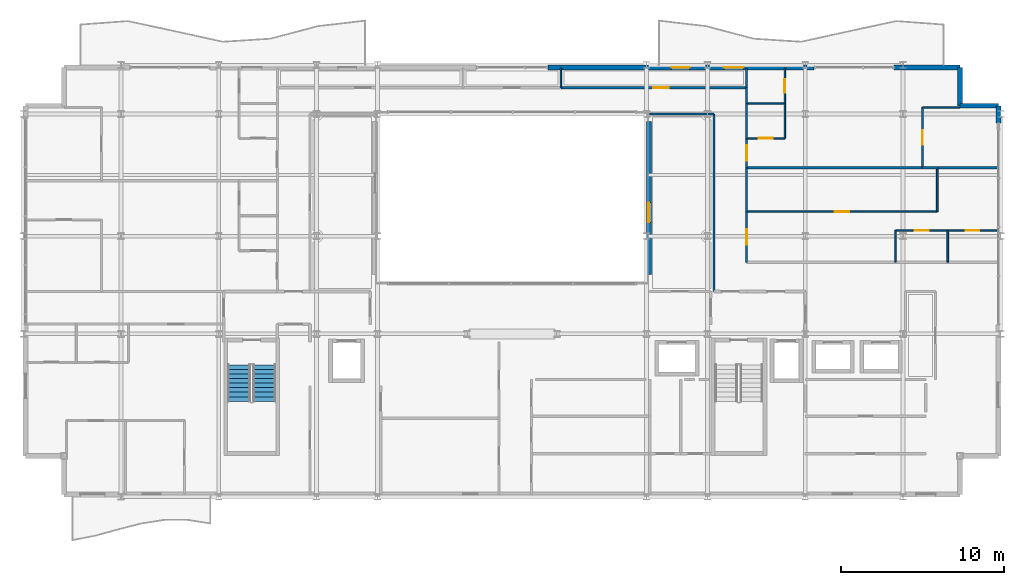
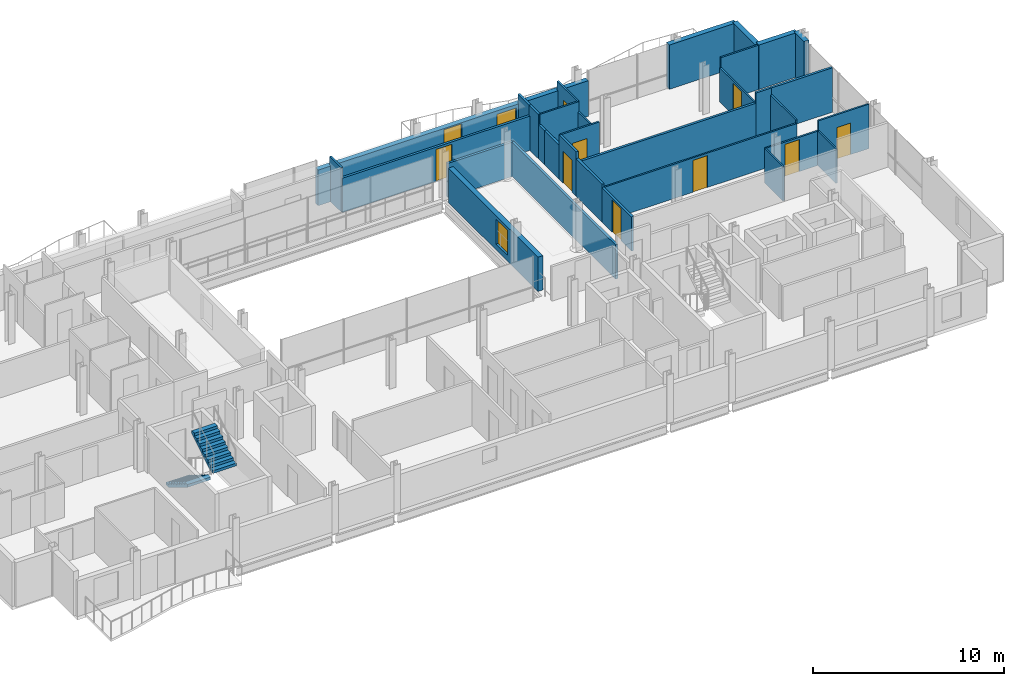
# One storey, part 32 of 36: 32 walls, 10 doors, 2 stair flights, 2 windows, 12 openings, 1 element without a shape of its own.
"""IFC4 building model written with IfcOpenShell, lengths in metres."""

from ifc_helpers import new_model, si_unit, direction, frame, frame_2d, origin, place, context, subcontext, project, spatial, polyline, rectangle, outline, extrude, material, layer, layer_set, type_object, element, fill, aggregate, save


model = new_model("IFC4")

# Units and contexts
model_context = context("Model", 3, precision=1e-05, world=origin(), true_north=direction((0.0, 1.0)))
body_context = subcontext(model_context, "Body", "Model", "MODEL_VIEW")
ifc_project = project(units=[si_unit("LENGTHUNIT", "METRE"), si_unit("AREAUNIT", "SQUARE_METRE"), si_unit("VOLUMEUNIT", "CUBIC_METRE"), si_unit("PLANEANGLEUNIT", "RADIAN"), si_unit("MASSUNIT", "GRAM", prefix="KILO")], contexts=[model_context])

# Site, building, storey
site_placement = place(None, origin())
site = spatial("IfcSite", under=ifc_project, at=site_placement, CompositionType="ELEMENT")
building_placement = place(site_placement, origin())
building = spatial("IfcBuilding", under=site, at=building_placement, Name="Brevholm Reach", CompositionType="ELEMENT")
storey_placement = place(building_placement, frame((0.0, 0.0, 175.89990234375)))
storey = spatial("IfcBuildingStorey", under=building, at=storey_placement, Name="L53", CompositionType="ELEMENT", Elevation=175.89990234375)

# Walls
ifc_material_1 = material(Name="Concrete C40/50", Category="concrete")
ifc_layer_1 = layer(ifc_material_1, 0.300048828125)
ifc_layer_set_1 = layer_set([ifc_layer_1], Name="Concrete C40/50")
wall_type_1 = type_object("IfcWallType", Name="WAL-EXT-300", PredefinedType="STANDARD", material=ifc_layer_set_1)
for number, where, z_axis, x_axis, name in (
    (1, (59.85009765625, 24.0, 0.0), (0.0, 0.0, 1.0), (-1.0, 0.0, 0.0), "L53 Facade Wall WAL-L53-CNE1"),
    (2, (57.5, 24.0, 0.0), (0.0, 0.0, 1.0), (0.0, 1.0, 0.0), "L53 Facade Wall WAL-L53-CNE2"),
):
    element("IfcWall", number, at=place(storey_placement, frame(where, z_axis=z_axis, x_axis=x_axis)), inside=storey, type_object=wall_type_1, Name=name, PredefinedType="STANDARD", context=body_context, shape_type="SweptSolid", body=[
        extrude(rectangle(XDim=2.35009765625, YDim=0.300048828125, at=frame_2d((1.175048828125, 0.0))), origin(), (0.0, 0.0, 1.0), 2.840087890625),
    ])
wall_1_placement = place(storey_placement, frame((59.85009765625, 22.949951171875, 0.0), z_axis=(0.0, 0.0, 1.0), x_axis=(0.0, 1.0, 0.0)))
element("IfcWall", 3, at=wall_1_placement, inside=storey, type_object=wall_type_1, Name="L53 Facade Wall WAL-L53-E-N", PredefinedType="STANDARD", context=body_context, shape_type="SweptSolid", body=[
    extrude(rectangle(XDim=1.050048828125, YDim=0.300048828125, at=frame_2d((0.52490234375, 0.0))), origin(), (0.0, 0.0, 1.0), 2.840087890625),
])
wall_2_placement = place(storey_placement, frame((53.449951171875, 26.35009765625, 0.0), z_axis=(0.0, 0.0, 1.0), x_axis=(1.0, 0.0, 0.0)))
element("IfcWall", 4, at=wall_2_placement, inside=storey, type_object=wall_type_1, Name="L53 Facade Wall WAL-L53-NP-E0", PredefinedType="STANDARD", context=body_context, shape_type="SweptSolid", body=[
    extrude(rectangle(XDim=4.050048828125, YDim=0.300048828125, at=frame_2d((2.02490234375, 0.0))), origin(), (0.0, 0.0, 1.0), 2.840087890625),
])

# Wall, openings, door, window
wall_3_placement = place(storey_placement, frame((32.199951171875, 26.35009765625, 0.0), z_axis=(0.0, 0.0, 1.0), x_axis=(1.0, 0.0, 0.0)))
wall_3 = element("IfcWall", 5, at=wall_3_placement, inside=storey, type_object=wall_type_1, Name="L53 Facade Wall WAL-L53-NP-ER", PredefinedType="STANDARD", context=body_context, shape_type="SweptSolid", body=[
    extrude(rectangle(XDim=16.35009765625, YDim=0.300048828125, at=frame_2d((8.175048828125, 0.0))), origin(), (0.0, 0.0, 1.0), 2.275634765625),
])
opening_1_placement = place(wall_3_placement, frame((7.60009765625, 0.0, 0.0)))
opening_1 = element("IfcOpeningElement", 6, at=opening_1_placement, cuts=wall_3, Name="Opening BD-01", PredefinedType="OPENING", context=body_context, shape_type="SweptSolid", body=[
    extrude(rectangle(XDim=1.10009765625, YDim=2.199951171875, at=frame_2d((0.550048828125, 1.10009765625))), frame((0.0, 0.159912109375, 0.0), z_axis=(0.0, -1.0, 0.0), x_axis=(1.0, 0.0, 0.0)), (0.0, 0.0, 1.0), 0.320068359375),
])
opening_2_placement = place(wall_3_placement, frame((10.800048828125, 0.0, 0.455078125)))
opening_2 = element("IfcOpeningElement", 7, at=opening_2_placement, cuts=wall_3, Name="Opening WN-08", PredefinedType="OPENING", context=body_context, shape_type="SweptSolid", body=[
    extrude(rectangle(XDim=1.199951171875, YDim=1.60009765625, at=frame_2d((0.60009765625, 0.800048828125))), frame((0.0, 0.159912109375, 0.0), z_axis=(0.0, -1.0, 0.0), x_axis=(1.0, 0.0, 0.0)), (0.0, 0.0, 1.0), 0.320068359375),
])
ifc_material_2 = material(Name="Dark Anodised Aluminium and Triple-Glazed Glass", Category="aluminium")
door_type_1 = type_object("IfcDoorType", Name="DOR-BALC-1100", OperationType="NOTDEFINED", PredefinedType="DOOR", material=ifc_material_2)
door_1_placement = place(opening_1_placement, origin())
door_1 = element("IfcDoor", 8, at=door_1_placement, inside=storey, type_object=door_type_1, Name="L53 Exterior Door DOR-L53-BL-NE", OperationType="SINGLE_SWING_LEFT", OverallHeight=2.199951171875, OverallWidth=1.10009765625, PredefinedType="DOOR", context=body_context, shape_type="SweptSolid", body=[
    extrude(rectangle(XDim=1.10009765625, YDim=2.199951171875, at=frame_2d((0.550048828125, 1.10009765625))), frame((0.0, 0.02490234375, 0.0), z_axis=(0.0, -1.0, 0.0), x_axis=(1.0, 0.0, 0.0)), (0.0, 0.0, 1.0), 0.050048828125),
])
fill(opening_1, door_1)
ifc_material_3 = material(Name="Dark Anodised Aluminium and Solar-Control IGU Glass", Category="aluminium")
window_type = type_object("IfcWindowType", Name="WIN-RES-1200", PartitioningType="SINGLE_PANEL", PredefinedType="WINDOW", material=ifc_material_3)
window_1_placement = place(opening_2_placement, origin())
window_1 = element("IfcWindow", 9, at=window_1_placement, inside=storey, type_object=window_type, Name="L53 Window WIN-L53-NP-ER1", OverallHeight=1.60009765625, OverallWidth=1.199951171875, PartitioningType="SINGLE_PANEL", PredefinedType="WINDOW", context=body_context, shape_type="SweptSolid", body=[
    extrude(rectangle(XDim=1.199951171875, YDim=1.60009765625, at=frame_2d((0.60009765625, 0.800048828125))), frame((0.0, 0.030029296875, 0.0), z_axis=(0.0, -1.0, 0.0), x_axis=(1.0, 0.0, 0.0)), (0.0, 0.0, 1.0), 0.06005859375),
])
fill(opening_2, window_1)

# Wall, opening, window
wall_4_placement = place(storey_placement, frame((38.39990234375, 13.64990234375, 0.0), z_axis=(0.0, 0.0, 1.0), x_axis=(0.0, 1.0, 0.0)))
wall_4 = element("IfcWall", 10, at=wall_4_placement, inside=storey, type_object=wall_type_1, Name="L53 Facade Wall WAL-L53-AT-E", PredefinedType="STANDARD", context=body_context, shape_type="SweptSolid", body=[
    extrude(rectangle(XDim=9.400146484375, YDim=0.300048828125, at=frame_2d((4.7001953125, 0.0))), origin(), (0.0, 0.0, 1.0), 2.19482421875),
])
opening_3_placement = place(wall_4_placement, frame((3.199951171875, 0.0, 0.375)))
opening_3 = element("IfcOpeningElement", 11, at=opening_3_placement, cuts=wall_4, Name="Opening WN-08", PredefinedType="OPENING", context=body_context, shape_type="SweptSolid", body=[
    extrude(rectangle(XDim=1.199951171875, YDim=1.60009765625, at=frame_2d((0.60009765625, 0.800048828125))), frame((0.0, 0.159912109375, 0.0), z_axis=(0.0, -1.0, 0.0), x_axis=(1.0, 0.0, 0.0)), (0.0, 0.0, 1.0), 0.320068359375),
])
window_2_placement = place(opening_3_placement, origin())
window_2 = element("IfcWindow", 12, at=window_2_placement, inside=storey, type_object=window_type, Name="L53 Window WIN-L53-AT-E1", OverallHeight=1.60009765625, OverallWidth=1.199951171875, PartitioningType="SINGLE_PANEL", PredefinedType="WINDOW", context=body_context, shape_type="SweptSolid", body=[
    extrude(rectangle(XDim=1.199951171875, YDim=1.60009765625, at=frame_2d((0.60009765625, 0.800048828125))), frame((0.0, 0.030029296875, 0.0), z_axis=(0.0, -1.0, 0.0), x_axis=(1.0, 0.0, 0.0)), (0.0, 0.0, 1.0), 0.06005859375),
])
fill(opening_3, window_2)

# Wall
ifc_material_4 = material(Name="Moisture-Resistant Acoustic Gypsum Stud Partition 100 mm", Category="gypsum")
ifc_layer_2 = layer(ifc_material_4, 0.10009765625)
ifc_layer_set_2 = layer_set([ifc_layer_2], Name="Moisture-Resistant Acoustic Gypsum Stud Partition 100 mm")
wall_type_2 = type_object("IfcWallType", Name="WAL-PRT-100", PredefinedType="PARTITIONING", material=ifc_layer_set_2)
wall_5_placement = place(storey_placement, frame((56.75, 14.404052734375, 0.0), z_axis=(0.0, 0.0, 1.0), x_axis=(0.0, 1.0, 0.0)))
element("IfcWall", 13, at=wall_5_placement, inside=storey, type_object=wall_type_2, Name="L53 Internal Partition 084", PredefinedType="PARTITIONING", context=body_context, shape_type="SweptSolid", body=[
    extrude(rectangle(XDim=1.946044921875, YDim=0.10009765625, at=frame_2d((0.97314453125, 0.0))), origin(), (0.0, 0.0, 1.0), 2.19482421875),
])

# Wall, opening, door
wall_6_placement = place(storey_placement, frame((56.75, 16.35009765625, 0.0), z_axis=(0.0, 0.0, 1.0), x_axis=(1.0, 0.0, 0.0)))
wall_6 = element("IfcWall", 14, at=wall_6_placement, inside=storey, type_object=wall_type_2, Name="L53 Internal Partition 085", PredefinedType="PARTITIONING", context=body_context, shape_type="SweptSolid", body=[
    extrude(rectangle(XDim=3.050048828125, YDim=0.10009765625, at=frame_2d((1.52490234375, 0.0))), origin(), (0.0, 0.0, 1.0), 2.840087890625),
])
opening_4_placement = place(wall_6_placement, frame((1.114990234375, 0.0, 0.0)))
opening_4 = element("IfcOpeningElement", 15, at=opening_4_placement, cuts=wall_6, Name="Opening ID-03", PredefinedType="OPENING", context=body_context, shape_type="SweptSolid", body=[
    extrude(rectangle(XDim=0.820068359375, YDim=2.02001953125, at=frame_2d((0.41015625, 1.010009765625))), frame((0.0, 0.06005859375, 0.0), z_axis=(0.0, -1.0, 0.0), x_axis=(1.0, 0.0, 0.0)), (0.0, 0.0, 1.0), 0.1201171875),
])
ifc_material_5 = material(Name="Moisture-Resistant Painted Timber Internal Bathroom Door", Category="wood")
door_type_2 = type_object("IfcDoorType", Name="DOR-BATH-820", OperationType="NOTDEFINED", PredefinedType="DOOR", material=ifc_material_5)
door_2_placement = place(opening_4_placement, origin())
door_2 = element("IfcDoor", 16, at=door_2_placement, inside=storey, type_object=door_type_2, Name="L53 Internal Door 037", OperationType="SINGLE_SWING_LEFT", OverallHeight=2.02001953125, OverallWidth=0.820068359375, PredefinedType="DOOR", context=body_context, shape_type="SweptSolid", body=[
    extrude(rectangle(XDim=0.820068359375, YDim=2.02001953125, at=frame_2d((0.41015625, 1.010009765625))), frame((0.0, 0.02490234375, 0.0), z_axis=(0.0, -1.0, 0.0), x_axis=(1.0, 0.0, 0.0)), (0.0, 0.0, 1.0), 0.050048828125),
])
fill(opening_4, door_2)

wall_7_placement = place(storey_placement, frame((53.550048828125, 16.35009765625, 0.0), z_axis=(0.0, 0.0, 1.0), x_axis=(1.0, 0.0, 0.0)))
wall_7 = element("IfcWall", 17, at=wall_7_placement, inside=storey, type_object=wall_type_2, Name="L53 Internal Partition 086", PredefinedType="PARTITIONING", context=body_context, shape_type="SweptSolid", body=[
    extrude(rectangle(XDim=3.196044921875, YDim=0.10009765625, at=frame_2d((1.59814453125, 0.0))), origin(), (0.0, 0.0, 1.0), 2.19482421875),
])
opening_5_placement = place(wall_7_placement, frame((1.157958984375, 0.0, 0.0)))
opening_5 = element("IfcOpeningElement", 18, at=opening_5_placement, cuts=wall_7, Name="Opening ID-01", PredefinedType="OPENING", context=body_context, shape_type="SweptSolid", body=[
    extrude(rectangle(XDim=0.8798828125, YDim=2.0400390625, at=frame_2d((0.43994140625, 1.02001953125))), frame((0.0, 0.06005859375, 0.0), z_axis=(0.0, -1.0, 0.0), x_axis=(1.0, 0.0, 0.0)), (0.0, 0.0, 1.0), 0.1201171875),
])
ifc_material_6 = material(Name="Lacquered Ash Solid-Core Acoustic Internal Door", Category="timber")
door_type_3 = type_object("IfcDoorType", Name="DOR-INT-880", OperationType="NOTDEFINED", PredefinedType="DOOR", material=ifc_material_6)
door_3_placement = place(opening_5_placement, origin())
door_3 = element("IfcDoor", 19, at=door_3_placement, inside=storey, type_object=door_type_3, Name="L53 Internal Door 038", OperationType="SINGLE_SWING_RIGHT", OverallHeight=2.0400390625, OverallWidth=0.8798828125, PredefinedType="DOOR", context=body_context, shape_type="SweptSolid", body=[
    extrude(rectangle(XDim=0.8798828125, YDim=2.0400390625, at=frame_2d((0.43994140625, 1.02001953125))), frame((0.0, 0.02490234375, 0.0), z_axis=(0.0, -1.0, 0.0), x_axis=(1.0, 0.0, 0.0)), (0.0, 0.0, 1.0), 0.050048828125),
])
fill(opening_5, door_3)

# Wall
wall_8_placement = place(storey_placement, frame((53.550048828125, 14.404052734375, 0.0), z_axis=(0.0, 0.0, 1.0), x_axis=(0.0, 1.0, 0.0)))
element("IfcWall", 20, at=wall_8_placement, inside=storey, type_object=wall_type_2, Name="L53 Internal Partition 087", PredefinedType="PARTITIONING", context=body_context, shape_type="SweptSolid", body=[
    extrude(rectangle(XDim=1.946044921875, YDim=0.10009765625, at=frame_2d((0.97314453125, 0.0))), origin(), (0.0, 0.0, 1.0), 2.19482421875),
])

# Wall, opening, door
wall_9_placement = place(storey_placement, frame((44.404052734375, 17.5, 0.0), z_axis=(0.0, 0.0, 1.0), x_axis=(1.0, 0.0, 0.0)))
wall_9 = element("IfcWall", 21, at=wall_9_placement, inside=storey, type_object=wall_type_2, Name="L53 Internal Partition 088", PredefinedType="PARTITIONING", context=body_context, shape_type="SweptSolid", body=[
    extrude(rectangle(XDim=11.699951171875, YDim=0.10009765625, at=frame_2d((5.85009765625, 0.0))), origin(), (0.0, 0.0, 1.0), 2.19482421875),
])
opening_6_placement = place(wall_9_placement, frame((5.409912109375, 0.0, 0.0)))
opening_6 = element("IfcOpeningElement", 22, at=opening_6_placement, cuts=wall_9, Name="Opening ID-01", PredefinedType="OPENING", context=body_context, shape_type="SweptSolid", body=[
    extrude(rectangle(XDim=0.8798828125, YDim=2.0400390625, at=frame_2d((0.43994140625, 1.02001953125))), frame((0.0, 0.06005859375, 0.0), z_axis=(0.0, -1.0, 0.0), x_axis=(1.0, 0.0, 0.0)), (0.0, 0.0, 1.0), 0.1201171875),
])
door_4_placement = place(opening_6_placement, origin())
door_4 = element("IfcDoor", 23, at=door_4_placement, inside=storey, type_object=door_type_3, Name="L53 Internal Door 039", OperationType="SINGLE_SWING_LEFT", OverallHeight=2.0400390625, OverallWidth=0.8798828125, PredefinedType="DOOR", context=body_context, shape_type="SweptSolid", body=[
    extrude(rectangle(XDim=0.8798828125, YDim=2.0400390625, at=frame_2d((0.43994140625, 1.02001953125))), frame((0.0, 0.02490234375, 0.0), z_axis=(0.0, -1.0, 0.0), x_axis=(1.0, 0.0, 0.0)), (0.0, 0.0, 1.0), 0.050048828125),
])
fill(opening_6, door_4)

# Walls
wall_10_placement = place(storey_placement, frame((56.10400390625, 17.5, 0.0), z_axis=(0.0, 0.0, 1.0), x_axis=(0.0, 1.0, 0.0)))
element("IfcWall", 24, at=wall_10_placement, inside=storey, type_object=wall_type_2, Name="L53 Internal Partition 089", PredefinedType="PARTITIONING", context=body_context, shape_type="SweptSolid", body=[
    extrude(rectangle(XDim=2.699951171875, YDim=0.10009765625, at=frame_2d((1.35009765625, 0.0))), origin(), (0.0, 0.0, 1.0), 2.40869140625),
])
wall_11_placement = place(storey_placement, frame((44.39990234375, 24.14990234375, 0.0), z_axis=(0.0, 0.0, 1.0), x_axis=(1.0, 0.0, 0.0)))
element("IfcWall", 25, at=wall_11_placement, inside=storey, type_object=wall_type_2, Name="L53 Internal Partition 093", PredefinedType="PARTITIONING", context=body_context, shape_type="SweptSolid", body=[
    extrude(rectangle(XDim=2.35009765625, YDim=0.10009765625, at=frame_2d((1.175048828125, 0.0))), origin(), (0.0, 0.0, 1.0), 2.840087890625),
])

# Wall, opening, door
wall_12_placement = place(storey_placement, frame((46.75, 24.14990234375, 0.0), z_axis=(0.0, 0.0, 1.0), x_axis=(0.0, 1.0, 0.0)))
wall_12 = element("IfcWall", 26, at=wall_12_placement, inside=storey, type_object=wall_type_2, Name="L53 Internal Partition 094", PredefinedType="PARTITIONING", context=body_context, shape_type="SweptSolid", body=[
    extrude(rectangle(XDim=2.150146484375, YDim=0.10009765625, at=frame_2d((1.0751953125, 0.0))), origin(), (0.0, 0.0, 1.0), 2.840087890625),
])
opening_7_placement = place(wall_12_placement, frame((0.6650390625, 0.0, 0.0)))
opening_7 = element("IfcOpeningElement", 27, at=opening_7_placement, cuts=wall_12, Name="Opening ID-03", PredefinedType="OPENING", context=body_context, shape_type="SweptSolid", body=[
    extrude(rectangle(XDim=0.820068359375, YDim=2.02001953125, at=frame_2d((0.41015625, 1.010009765625))), frame((0.0, 0.06005859375, 0.0), z_axis=(0.0, -1.0, 0.0), x_axis=(1.0, 0.0, 0.0)), (0.0, 0.0, 1.0), 0.1201171875),
])
door_5_placement = place(opening_7_placement, origin())
door_5 = element("IfcDoor", 28, at=door_5_placement, inside=storey, type_object=door_type_2, Name="L53 Internal Door 040", OperationType="SINGLE_SWING_RIGHT", OverallHeight=2.02001953125, OverallWidth=0.820068359375, PredefinedType="DOOR", context=body_context, shape_type="SweptSolid", body=[
    extrude(rectangle(XDim=0.820068359375, YDim=2.02001953125, at=frame_2d((0.41015625, 1.010009765625))), frame((0.0, 0.02490234375, 0.0), z_axis=(0.0, -1.0, 0.0), x_axis=(1.0, 0.0, 0.0)), (0.0, 0.0, 1.0), 0.050048828125),
])
fill(opening_7, door_5)

wall_13_placement = place(storey_placement, frame((44.404052734375, 22.0, 0.0), z_axis=(0.0, 0.0, 1.0), x_axis=(1.0, 0.0, 0.0)))
wall_13 = element("IfcWall", 29, at=wall_13_placement, inside=storey, type_object=wall_type_2, Name="L53 Internal Partition 097", PredefinedType="PARTITIONING", context=body_context, shape_type="SweptSolid", body=[
    extrude(rectangle(XDim=2.345947265625, YDim=0.10009765625, at=frame_2d((1.1728515625, 0.0))), origin(), (0.0, 0.0, 1.0), 2.840087890625),
])
opening_8_placement = place(wall_13_placement, frame((0.73291015625, 0.0, 0.0)))
opening_8 = element("IfcOpeningElement", 30, at=opening_8_placement, cuts=wall_13, Name="Opening ID-01", PredefinedType="OPENING", context=body_context, shape_type="SweptSolid", body=[
    extrude(rectangle(XDim=0.8798828125, YDim=2.0400390625, at=frame_2d((0.43994140625, 1.02001953125))), frame((0.0, 0.06005859375, 0.0), z_axis=(0.0, -1.0, 0.0), x_axis=(1.0, 0.0, 0.0)), (0.0, 0.0, 1.0), 0.1201171875),
])
door_6_placement = place(opening_8_placement, origin())
door_6 = element("IfcDoor", 31, at=door_6_placement, inside=storey, type_object=door_type_3, Name="L53 Internal Door 041", OperationType="SINGLE_SWING_LEFT", OverallHeight=2.0400390625, OverallWidth=0.8798828125, PredefinedType="DOOR", context=body_context, shape_type="SweptSolid", body=[
    extrude(rectangle(XDim=0.8798828125, YDim=2.0400390625, at=frame_2d((0.43994140625, 1.02001953125))), frame((0.0, 0.02490234375, 0.0), z_axis=(0.0, -1.0, 0.0), x_axis=(1.0, 0.0, 0.0)), (0.0, 0.0, 1.0), 0.050048828125),
])
fill(opening_8, door_6)

# Walls
wall_14_placement = place(storey_placement, frame((46.75, 22.0, 0.0), z_axis=(0.0, 0.0, 1.0), x_axis=(0.0, 1.0, 0.0)))
element("IfcWall", 32, at=wall_14_placement, inside=storey, type_object=wall_type_2, Name="L53 Internal Partition 098", PredefinedType="PARTITIONING", context=body_context, shape_type="SweptSolid", body=[
    extrude(rectangle(XDim=2.14599609375, YDim=0.10009765625, at=frame_2d((1.072998046875, 0.0))), origin(), (0.0, 0.0, 1.0), 2.19482421875),
])
wall_15_placement = place(storey_placement, frame((55.199951171875, 23.89990234375, 0.0), z_axis=(0.0, 0.0, 1.0), x_axis=(1.0, 0.0, 0.0)))
element("IfcWall", 33, at=wall_15_placement, inside=storey, type_object=wall_type_2, Name="L53 Internal Partition 100", PredefinedType="PARTITIONING", context=body_context, shape_type="SweptSolid", body=[
    extrude(rectangle(XDim=2.280029296875, YDim=0.10009765625, at=frame_2d((1.14013671875, 0.0))), origin(), (0.0, 0.0, 1.0), 2.840087890625),
])

# Wall, opening, door
wall_16_placement = place(storey_placement, frame((55.199951171875, 20.2041015625, 0.0), z_axis=(0.0, 0.0, 1.0), x_axis=(0.0, 1.0, 0.0)))
wall_16 = element("IfcWall", 34, at=wall_16_placement, inside=storey, type_object=wall_type_2, Name="L53 Internal Partition 101", PredefinedType="PARTITIONING", context=body_context, shape_type="SweptSolid", body=[
    extrude(rectangle(XDim=3.69580078125, YDim=0.10009765625, at=frame_2d((1.847900390625, 0.0))), origin(), (0.0, 0.0, 1.0), 2.19482421875),
])
opening_9_placement = place(wall_16_placement, frame((1.407958984375, 0.0, 0.0)))
opening_9 = element("IfcOpeningElement", 35, at=opening_9_placement, cuts=wall_16, Name="Opening ID-01", PredefinedType="OPENING", context=body_context, shape_type="SweptSolid", body=[
    extrude(rectangle(XDim=0.8798828125, YDim=2.0400390625, at=frame_2d((0.43994140625, 1.02001953125))), frame((0.0, 0.06005859375, 0.0), z_axis=(0.0, -1.0, 0.0), x_axis=(1.0, 0.0, 0.0)), (0.0, 0.0, 1.0), 0.1201171875),
])
door_7_placement = place(opening_9_placement, origin())
door_7 = element("IfcDoor", 36, at=door_7_placement, inside=storey, type_object=door_type_3, Name="L53 Internal Door 042", OperationType="SINGLE_SWING_RIGHT", OverallHeight=2.0400390625, OverallWidth=0.8798828125, PredefinedType="DOOR", context=body_context, shape_type="SweptSolid", body=[
    extrude(rectangle(XDim=0.8798828125, YDim=2.0400390625, at=frame_2d((0.43994140625, 1.02001953125))), frame((0.0, 0.02490234375, 0.0), z_axis=(0.0, -1.0, 0.0), x_axis=(1.0, 0.0, 0.0)), (0.0, 0.0, 1.0), 0.050048828125),
])
fill(opening_9, door_7)

# Walls
wall_17_placement = place(storey_placement, frame((33.0, 25.10400390625, 0.0), z_axis=(0.0, 0.0, 1.0), x_axis=(0.0, 1.0, 0.0)))
element("IfcWall", 37, at=wall_17_placement, inside=storey, type_object=wall_type_2, Name="L53 Internal Partition 108", PredefinedType="PARTITIONING", context=body_context, shape_type="SweptSolid", body=[
    extrude(rectangle(XDim=1.196044921875, YDim=0.10009765625, at=frame_2d((0.59814453125, 0.0))), origin(), (0.0, 0.0, 1.0), 2.840087890625),
])
ifc_material_7 = material(Name="Twin-Stud Acoustic Fire-Rated Gypsum Partition 140 mm", Category="gypsum")
ifc_layer_3 = layer(ifc_material_7, 0.139892578125)
ifc_layer_set_3 = layer_set([ifc_layer_3], Name="Twin-Stud Acoustic Fire-Rated Gypsum Partition 140 mm")
wall_type_3 = type_object("IfcWallType", Name="WAL-PRT-140", PredefinedType="PARTITIONING", material=ifc_layer_set_3)
wall_18_placement = place(storey_placement, frame((44.39990234375, 17.48876953125, 0.0), z_axis=(0.0, 0.0, 1.0), x_axis=(0.0, 1.0, 0.0)))
element("IfcWall", 38, at=wall_18_placement, inside=storey, type_object=wall_type_3, Name="L53 Internal Partition 044", PredefinedType="PARTITIONING", context=body_context, shape_type="SweptSolid", body=[
    extrude(rectangle(XDim=2.722412109375, YDim=0.139892578125, at=frame_2d((1.361328125, 0.0))), origin(), (0.0, 0.0, 1.0), 2.40869140625),
])

# Wall, opening, door
wall_19_placement = place(storey_placement, frame((44.39990234375, 14.392578125, 0.0), z_axis=(0.0, 0.0, 1.0), x_axis=(0.0, 1.0, 0.0)))
wall_19 = element("IfcWall", 39, at=wall_19_placement, inside=storey, type_object=wall_type_3, Name="L53 Internal Partition 045", PredefinedType="PARTITIONING", context=body_context, shape_type="SweptSolid", body=[
    extrude(rectangle(XDim=3.11474609375, YDim=0.139892578125, at=frame_2d((1.557373046875, 0.0))), origin(), (0.0, 0.0, 1.0), 2.19482421875),
])
opening_10_placement = place(wall_19_placement, frame((1.082275390625, 0.0, 0.0)))
opening_10 = element("IfcOpeningElement", 40, at=opening_10_placement, cuts=wall_19, Name="Opening ID-30", PredefinedType="OPENING", context=body_context, shape_type="SweptSolid", body=[
    extrude(rectangle(XDim=0.949951171875, YDim=2.050048828125, at=frame_2d((0.47509765625, 1.02490234375))), frame((0.0, 0.079833984375, 0.0), z_axis=(0.0, -1.0, 0.0), x_axis=(1.0, 0.0, 0.0)), (0.0, 0.0, 1.0), 0.159912109375),
])
ifc_material_8 = material(Name="European Oak Veneered Solid-Core Fire Entrance Door", Category="timber")
door_type_4 = type_object("IfcDoorType", Name="DOR-FLT-FD30S", OperationType="NOTDEFINED", PredefinedType="DOOR", material=ifc_material_8)
door_8_placement = place(opening_10_placement, origin())
door_8 = element("IfcDoor", 41, at=door_8_placement, inside=storey, type_object=door_type_4, Name="L53 Internal Door 024", OperationType="SINGLE_SWING_RIGHT", OverallHeight=2.050048828125, OverallWidth=0.949951171875, PredefinedType="DOOR", context=body_context, shape_type="SweptSolid", body=[
    extrude(rectangle(XDim=0.949951171875, YDim=2.050048828125, at=frame_2d((0.47509765625, 1.02490234375))), frame((0.0, 0.02490234375, 0.0), z_axis=(0.0, -1.0, 0.0), x_axis=(1.0, 0.0, 0.0)), (0.0, 0.0, 1.0), 0.050048828125),
])
fill(opening_10, door_8)

# Wall
wall_20_placement = place(storey_placement, frame((44.39990234375, 21.98876953125, 0.0), z_axis=(0.0, 0.0, 1.0), x_axis=(0.0, 1.0, 0.0)))
element("IfcWall", 42, at=wall_20_placement, inside=storey, type_object=wall_type_3, Name="L53 Internal Partition 046", PredefinedType="PARTITIONING", context=body_context, shape_type="SweptSolid", body=[
    extrude(rectangle(XDim=1.51123046875, YDim=0.139892578125, at=frame_2d((0.755615234375, 0.0))), origin(), (0.0, 0.0, 1.0), 2.19482421875),
])

# Wall, opening, door
wall_21_placement = place(storey_placement, frame((44.39990234375, 20.192626953125, 0.0), z_axis=(0.0, 0.0, 1.0), x_axis=(0.0, 1.0, 0.0)))
wall_21 = element("IfcWall", 43, at=wall_21_placement, inside=storey, type_object=wall_type_3, Name="L53 Internal Partition 047", PredefinedType="PARTITIONING", context=body_context, shape_type="SweptSolid", body=[
    extrude(rectangle(XDim=1.814697265625, YDim=0.139892578125, at=frame_2d((0.9072265625, 0.0))), origin(), (0.0, 0.0, 1.0), 2.840087890625),
])
opening_11_placement = place(wall_21_placement, frame((0.432373046875, 0.0, 0.0)))
opening_11 = element("IfcOpeningElement", 44, at=opening_11_placement, cuts=wall_21, Name="Opening ID-30", PredefinedType="OPENING", context=body_context, shape_type="SweptSolid", body=[
    extrude(rectangle(XDim=0.949951171875, YDim=2.050048828125, at=frame_2d((0.47509765625, 1.02490234375))), frame((0.0, 0.079833984375, 0.0), z_axis=(0.0, -1.0, 0.0), x_axis=(1.0, 0.0, 0.0)), (0.0, 0.0, 1.0), 0.159912109375),
])
door_9_placement = place(opening_11_placement, origin())
door_9 = element("IfcDoor", 45, at=door_9_placement, inside=storey, type_object=door_type_4, Name="L53 Internal Door 025", OperationType="SINGLE_SWING_LEFT", OverallHeight=2.050048828125, OverallWidth=0.949951171875, PredefinedType="DOOR", context=body_context, shape_type="SweptSolid", body=[
    extrude(rectangle(XDim=0.949951171875, YDim=2.050048828125, at=frame_2d((0.47509765625, 1.02490234375))), frame((0.0, 0.02490234375, 0.0), z_axis=(0.0, -1.0, 0.0), x_axis=(1.0, 0.0, 0.0)), (0.0, 0.0, 1.0), 0.050048828125),
])
fill(opening_11, door_9)

# Walls
wall_22_placement = place(storey_placement, frame((42.39990234375, 12.60400390625, 0.0), z_axis=(0.0, 0.0, 1.0), x_axis=(0.0, 1.0, 0.0)))
element("IfcWall", 46, at=wall_22_placement, inside=storey, type_object=wall_type_3, Name="L53 Internal Partition 048", PredefinedType="PARTITIONING", context=body_context, shape_type="SweptSolid", body=[
    extrude(rectangle(XDim=10.89599609375, YDim=0.139892578125, at=frame_2d((5.447998046875, 0.0))), origin(), (0.0, 0.0, 1.0), 2.19482421875),
])
wall_23_placement = place(storey_placement, frame((55.188720703125, 20.199951171875, 0.0), z_axis=(0.0, 0.0, 1.0), x_axis=(1.0, 0.0, 0.0)))
element("IfcWall", 47, at=wall_23_placement, inside=storey, type_object=wall_type_3, Name="L53 Internal Partition 090", PredefinedType="PARTITIONING", context=body_context, shape_type="SweptSolid", body=[
    extrude(rectangle(XDim=0.915283203125, YDim=0.139892578125, at=frame_2d((0.45751953125, 0.0))), origin(), (0.0, 0.0, 1.0), 2.840087890625),
])
wall_24_placement = place(storey_placement, frame((44.404052734375, 20.199951171875, 0.0), z_axis=(0.0, 0.0, 1.0), x_axis=(1.0, 0.0, 0.0)))
element("IfcWall", 48, at=wall_24_placement, inside=storey, type_object=wall_type_3, Name="L53 Internal Partition 091", PredefinedType="PARTITIONING", context=body_context, shape_type="SweptSolid", body=[
    extrude(rectangle(XDim=10.80322265625, YDim=0.139892578125, at=frame_2d((5.401611328125, 0.0))), origin(), (0.0, 0.0, 1.0), 2.19482421875),
])
wall_25_placement = place(storey_placement, frame((56.10791015625, 20.199951171875, 0.0), z_axis=(0.0, 0.0, 1.0), x_axis=(1.0, 0.0, 0.0)))
element("IfcWall", 49, at=wall_25_placement, inside=storey, type_object=wall_type_3, Name="L53 Internal Partition 092", PredefinedType="PARTITIONING", context=body_context, shape_type="SweptSolid", body=[
    extrude(rectangle(XDim=3.692138671875, YDim=0.139892578125, at=frame_2d((1.84619140625, 0.0))), origin(), (0.0, 0.0, 1.0), 2.840087890625),
])
wall_26_placement = place(storey_placement, frame((44.39990234375, 24.14990234375, 0.0), z_axis=(0.0, 0.0, 1.0), x_axis=(0.0, 1.0, 0.0)))
element("IfcWall", 50, at=wall_26_placement, inside=storey, type_object=wall_type_3, Name="L53 Internal Partition 095", PredefinedType="PARTITIONING", context=body_context, shape_type="SweptSolid", body=[
    extrude(rectangle(XDim=0.96142578125, YDim=0.139892578125, at=frame_2d((0.480712890625, 0.0))), origin(), (0.0, 0.0, 1.0), 2.840087890625),
])
wall_27_placement = place(storey_placement, frame((44.39990234375, 25.0927734375, 0.0), z_axis=(0.0, 0.0, 1.0), x_axis=(0.0, 1.0, 0.0)))
element("IfcWall", 51, at=wall_27_placement, inside=storey, type_object=wall_type_3, Name="L53 Internal Partition 096", PredefinedType="PARTITIONING", context=body_context, shape_type="SweptSolid", body=[
    extrude(rectangle(XDim=1.207275390625, YDim=0.139892578125, at=frame_2d((0.603515625, 0.0))), origin(), (0.0, 0.0, 1.0), 2.840087890625),
])
wall_28_placement = place(storey_placement, frame((44.39990234375, 23.50390625, 0.0), z_axis=(0.0, 0.0, 1.0), x_axis=(0.0, 1.0, 0.0)))
element("IfcWall", 52, at=wall_28_placement, inside=storey, type_object=wall_type_3, Name="L53 Internal Partition 099", PredefinedType="PARTITIONING", context=body_context, shape_type="SweptSolid", body=[
    extrude(rectangle(XDim=0.64208984375, YDim=0.139892578125, at=frame_2d((0.321044921875, 0.0))), origin(), (0.0, 0.0, 1.0), 2.19482421875),
])
wall_29_placement = place(storey_placement, frame((38.449951171875, 23.5, 0.0), z_axis=(0.0, 0.0, 1.0), x_axis=(1.0, 0.0, 0.0)))
element("IfcWall", 53, at=wall_29_placement, inside=storey, type_object=wall_type_3, Name="L53 Internal Partition 103", PredefinedType="PARTITIONING", context=body_context, shape_type="SweptSolid", body=[
    extrude(rectangle(XDim=3.946044921875, YDim=0.139892578125, at=frame_2d((1.97314453125, 0.0))), origin(), (0.0, 0.0, 1.0), 2.19482421875),
])

# Wall, opening, door
wall_30_placement = place(storey_placement, frame((32.99267578125, 25.10009765625, 0.0), z_axis=(0.0, 0.0, 1.0), x_axis=(1.0, 0.0, 0.0)))
wall_30 = element("IfcWall", 54, at=wall_30_placement, inside=storey, type_object=wall_type_3, Name="L53 Internal Partition 106", PredefinedType="PARTITIONING", context=body_context, shape_type="SweptSolid", body=[
    extrude(rectangle(XDim=11.4033203125, YDim=0.139892578125, at=frame_2d((5.70166015625, 0.0))), origin(), (0.0, 0.0, 1.0), 2.19482421875),
])
opening_12_placement = place(wall_30_placement, frame((5.666748046875, 0.0, 0.0)))
opening_12 = element("IfcOpeningElement", 55, at=opening_12_placement, cuts=wall_30, Name="Opening ID-30", PredefinedType="OPENING", context=body_context, shape_type="SweptSolid", body=[
    extrude(rectangle(XDim=0.949951171875, YDim=2.050048828125, at=frame_2d((0.47509765625, 1.02490234375))), frame((0.0, 0.079833984375, 0.0), z_axis=(0.0, -1.0, 0.0), x_axis=(1.0, 0.0, 0.0)), (0.0, 0.0, 1.0), 0.159912109375),
])
door_10_placement = place(opening_12_placement, origin())
door_10 = element("IfcDoor", 56, at=door_10_placement, inside=storey, type_object=door_type_4, Name="L53 Internal Door 045", OperationType="SINGLE_SWING_LEFT", OverallHeight=2.050048828125, OverallWidth=0.949951171875, PredefinedType="DOOR", context=body_context, shape_type="SweptSolid", body=[
    extrude(rectangle(XDim=0.949951171875, YDim=2.050048828125, at=frame_2d((0.47509765625, 1.02490234375))), frame((0.0, 0.02490234375, 0.0), z_axis=(0.0, -1.0, 0.0), x_axis=(1.0, 0.0, 0.0)), (0.0, 0.0, 1.0), 0.050048828125),
])
fill(opening_12, door_10)

# Stair, stair flights
ifc_material_9 = material(Name="Precast Concrete C40/50", Category="concrete")
stair_type = type_object("IfcStairType", Name="STR-ESC-1400", PredefinedType="DOUBLE_RETURN_STAIR", material=ifc_material_9)
stair_placement = place(storey_placement, origin())
stair = element("IfcStair", 57, at=stair_placement, inside=storey, type_object=stair_type, Name="L53 ST-1", PredefinedType="DOUBLE_RETURN_STAIR")
ifc_material_10 = material(Name="Precast Concrete C40/50", Category="concrete")
ifc_layer_4 = layer(ifc_material_10, 0.18505859375)
ifc_layer_set_4 = layer_set([ifc_layer_4], Name="Precast Concrete C40/50")
stair_flight_type = type_object("IfcStairFlightType", Name="STF-PRC-185", PredefinedType="STRAIGHT", material=ifc_layer_set_4)
stair_flight_1_placement = place(storey_placement, frame((13.25, 8.10009765625, 0.0), z_axis=(0.0, 0.0, 1.0), x_axis=(0.0, -1.0, 0.0)))
stair_flight_1 = element("IfcStairFlight", 58, at=stair_flight_1_placement, type_object=stair_flight_type, Name="ST-1 flight 1", NumberOfRisers=9, NumberOfTreads=8, PredefinedType="STRAIGHT", RiserHeight=0.172222222, TreadLength=0.28, context=body_context, shape_type="SweptSolid", body=[
    extrude(outline(polyline([(0.0, 0.0), (0.0, 0.172119140625), (0.280029296875, 0.172119140625), (0.280029296875, 0.344482421875), (0.56005859375, 0.344482421875), (0.56005859375, 0.5166015625), (0.840087890625, 0.5166015625), (0.840087890625, 0.68896484375), (1.1201171875, 0.68896484375), (1.1201171875, 0.861083984375), (1.39990234375, 0.861083984375), (1.39990234375, 1.033447265625), (1.679931640625, 1.033447265625), (1.679931640625, 1.20556640625), (1.9599609375, 1.20556640625), (1.9599609375, 1.377685546875), (2.239990234375, 1.377685546875), (2.239990234375, 1.550048828125), (2.239990234375, 1.201904296875), (0.2861328125, 0.0), (0.0, 0.0)])), frame((0.0, 0.699951171875, 0.0), z_axis=(0.0, -1.0, 0.0), x_axis=(1.0, 0.0, 0.0)), (0.0, 0.0, 1.0), 1.39990234375),
])
stair_flight_2_placement = place(storey_placement, frame((14.800048828125, 5.860107421875, 1.550048828125), z_axis=(0.0, 0.0, 1.0), x_axis=(0.0, 1.0, 0.0)))
stair_flight_2 = element("IfcStairFlight", 59, at=stair_flight_2_placement, type_object=stair_flight_type, Name="ST-1 flight 2", NumberOfRisers=9, NumberOfTreads=8, PredefinedType="STRAIGHT", RiserHeight=0.172222222, TreadLength=0.28, context=body_context, shape_type="SweptSolid", body=[
    extrude(outline(polyline([(0.0, 0.0), (0.0, 0.172119140625), (0.280029296875, 0.172119140625), (0.280029296875, 0.344482421875), (0.56005859375, 0.344482421875), (0.56005859375, 0.5166015625), (0.840087890625, 0.5166015625), (0.840087890625, 0.68896484375), (1.1201171875, 0.68896484375), (1.1201171875, 0.861083984375), (1.39990234375, 0.861083984375), (1.39990234375, 1.033447265625), (1.679931640625, 1.033447265625), (1.679931640625, 1.20556640625), (1.9599609375, 1.20556640625), (1.9599609375, 1.377685546875), (2.239990234375, 1.377685546875), (2.239990234375, 1.550048828125), (2.239990234375, 1.201904296875), (0.2861328125, 0.0), (0.0, 0.0)])), frame((0.0, 0.699951171875, 0.0), z_axis=(0.0, -1.0, 0.0), x_axis=(1.0, 0.0, 0.0)), (0.0, 0.0, 1.0), 1.39990234375),
])
aggregate(stair, [stair_flight_1, stair_flight_2])

save(model, "model.ifc")
